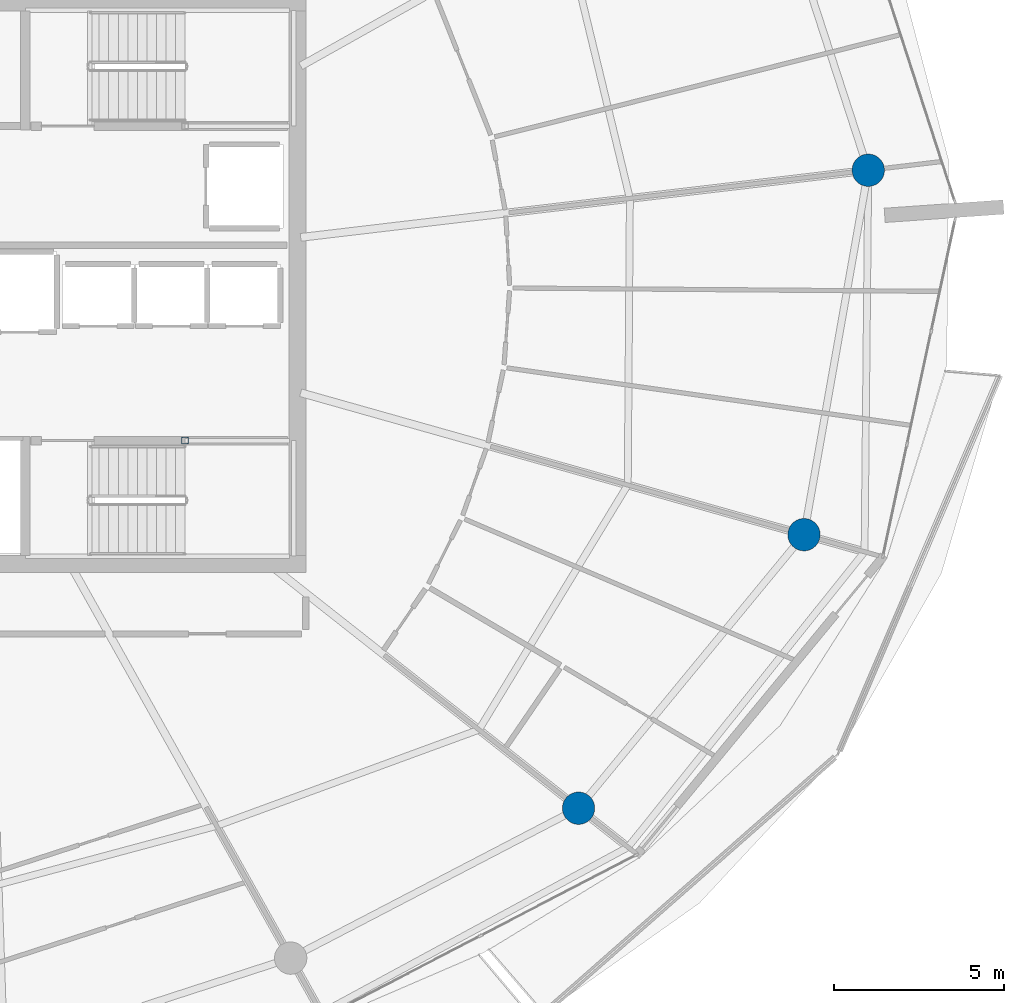
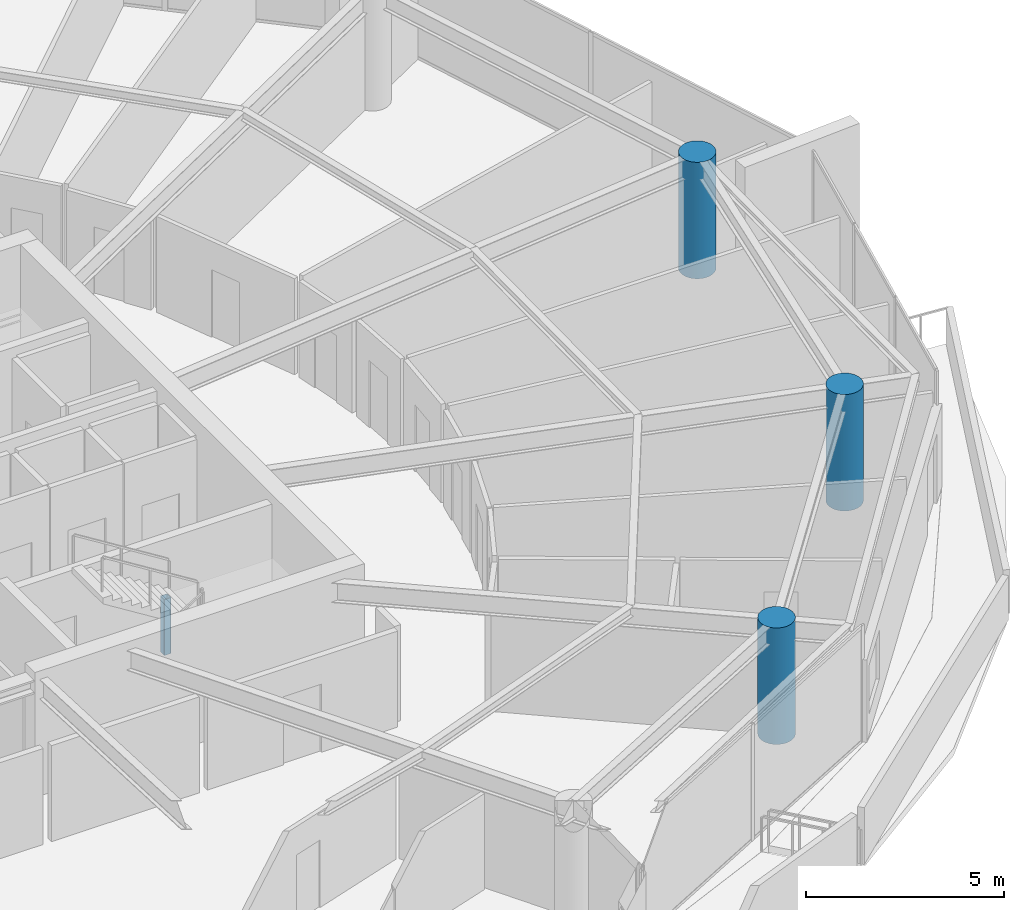
# One storey, part 3 of 30: 4 columns.
"""IFC4 building model written with IfcOpenShell, lengths in metres."""

from ifc_helpers import new_model, si_unit, direction, frame, origin, origin_2d, place, context, subcontext, project, spatial, hollow_rectangle, circle, extrude, material, material_profile, profile_set, type_object, element, save


model = new_model("IFC4")

# Units and contexts
model_context = context("Model", 3, precision=1e-05, world=origin(), true_north=direction((0.0, 1.0)))
body_context = subcontext(model_context, "Body", "Model", "MODEL_VIEW")
ifc_project = project(units=[si_unit("LENGTHUNIT", "METRE"), si_unit("AREAUNIT", "SQUARE_METRE"), si_unit("VOLUMEUNIT", "CUBIC_METRE"), si_unit("PLANEANGLEUNIT", "RADIAN"), si_unit("MASSUNIT", "GRAM", prefix="KILO")], contexts=[model_context])

# Site, building, storey
site_placement = place(None, origin())
site = spatial("IfcSite", under=ifc_project, at=site_placement, CompositionType="ELEMENT")
building_placement = place(site_placement, origin())
building = spatial("IfcBuilding", under=site, at=building_placement, Name="Kazma Halo Residences", CompositionType="ELEMENT")
storey_placement = place(building_placement, frame((0.0, 0.0, 290.60009765625)))
storey = spatial("IfcBuildingStorey", under=building, at=storey_placement, Name="L73", CompositionType="ELEMENT", Elevation=290.60009765625)

# Columns
ifc_material_1 = material(Name="Steel S355", Category="steel")
ifc_material_profile_1 = material_profile(ifc_material_1, hollow_rectangle(XDim=0.199951171875, YDim=0.199951171875, WallThickness=0.010009765625, InnerFilletRadius=0.010009765625, OuterFilletRadius=0.02001953125, at=origin_2d()), Name="SHS200x200x10")
ifc_profile_set_1 = profile_set([ifc_material_profile_1], Name="Steel S355")
column_type_1 = type_object("IfcColumnType", Name="COL-LP-SHS200", PredefinedType="COLUMN", material=ifc_profile_set_1)
column_placement = place(storey_placement, frame((56.0, 37.3798828125, 0.0), z_axis=(0.0, 0.0, 1.0), x_axis=(1.0, 0.0, 0.0)))
element("IfcColumn", 1, at=column_placement, inside=storey, type_object=column_type_1, Name="L73 ST-03 landing pilaster 1", PredefinedType="COLUMN", context=body_context, shape_type="SweptSolid", body=[
    extrude(hollow_rectangle(XDim=0.199951171875, YDim=0.199951171875, WallThickness=0.010009765625, InnerFilletRadius=0.010009765625, OuterFilletRadius=0.02001953125, at=origin_2d()), origin(), (0.0, 0.0, 1.0), 1.719970703125),
])
ifc_material_2 = material(Name="Concrete C60/75", Category="concrete")
ifc_material_profile_2 = material_profile(ifc_material_2, circle(Radius=0.47509765625, at=origin_2d()), Name="CIRC950")
ifc_profile_set_2 = profile_set([ifc_material_profile_2], Name="Concrete C60/75")
column_type_2 = type_object("IfcColumnType", Name="COL-PERIM-950", PredefinedType="COLUMN", material=ifc_profile_set_2)
for number, where, z_axis, x_axis, name in (
    (2, (67.566162109375, 26.5751953125, 0.0), (0.0, 0.0, 1.0), (1.0, 0.0, 0.0), "L73 perimeter ring column P14"),
    (3, (74.19091796875, 34.61328125, 0.0), (0.0, 0.0, 1.0), (1.0, 0.0, 0.0), "L73 perimeter ring column P15"),
    (4, (76.07958984375, 45.323486328125, 0.0), (0.0, 0.0, 1.0), (1.0, 0.0, 0.0), "L73 perimeter ring column P16"),
):
    element("IfcColumn", number, at=place(storey_placement, frame(where, z_axis=z_axis, x_axis=x_axis)), inside=storey, type_object=column_type_2, Name=name, PredefinedType="COLUMN", context=body_context, shape_type="SweptSolid", body=[
        extrude(circle(Radius=0.47509765625, at=origin_2d()), origin(), (0.0, 0.0, 1.0), 3.58984375),
    ])

save(model, "model.ifc")
